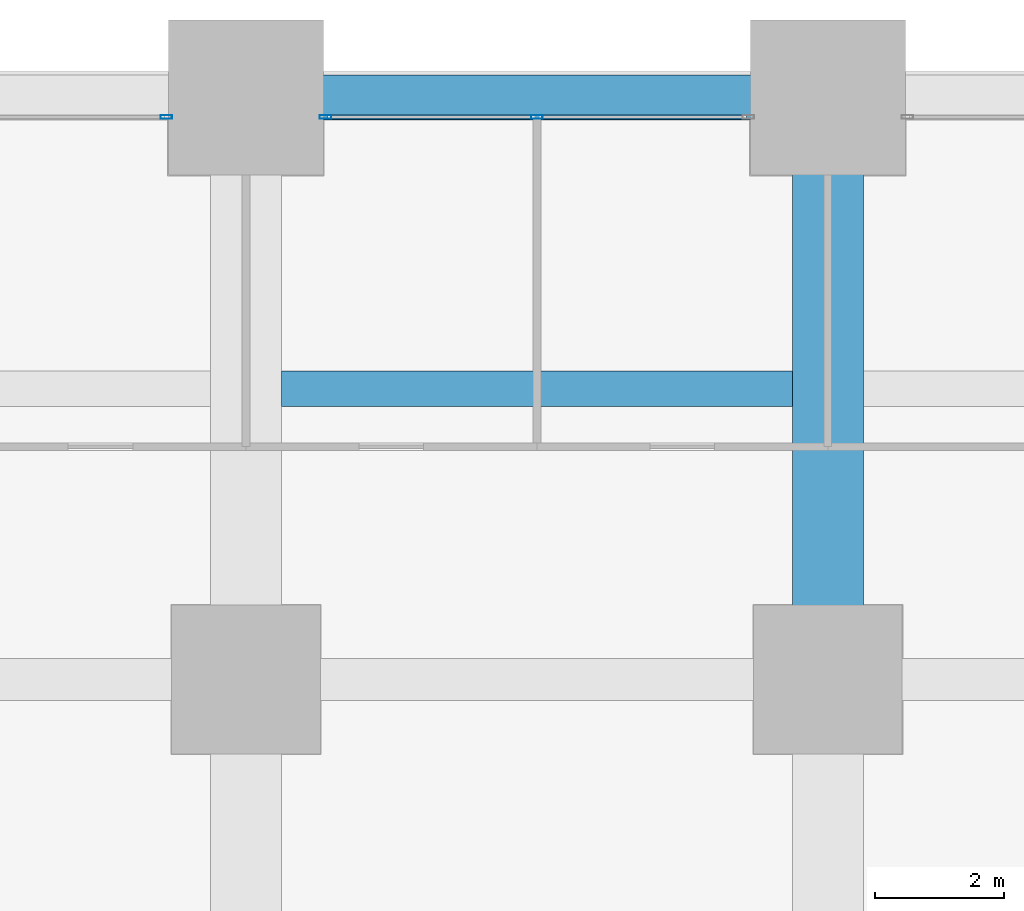
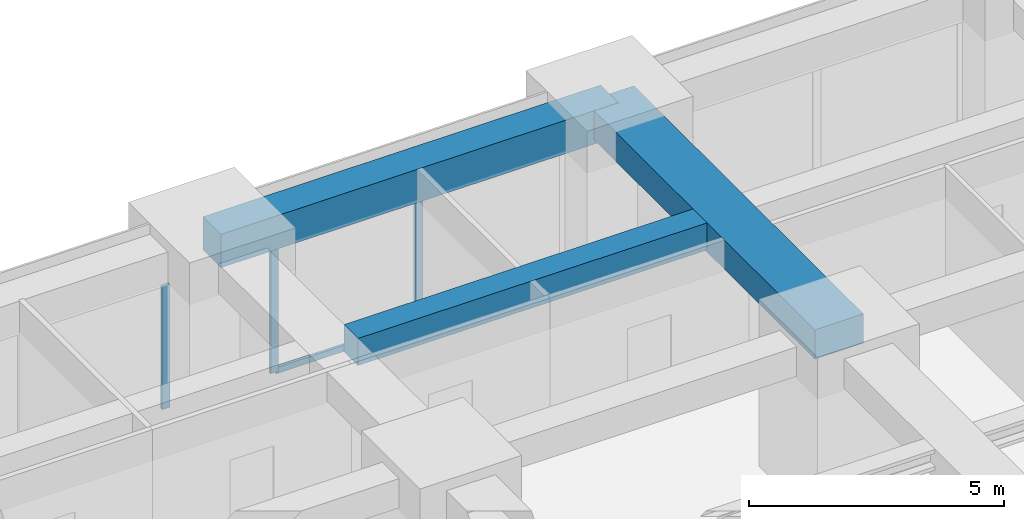
# One storey, part 29 of 44: 4 members, 3 beams, 2 elements without a shape of their own.
"""IFC4 building model written with IfcOpenShell, lengths in metres."""

from ifc_helpers import new_model, si_unit, direction, frame, origin, origin_2d, place, context, subcontext, project, spatial, rectangle, hollow_rectangle, extrude, material, material_profile, profile_set, type_object, element, aggregate, save


model = new_model("IFC4")

# Units and contexts
model_context = context("Model", 3, precision=1e-05, world=origin(), true_north=direction((0.0, 1.0)))
body_context = subcontext(model_context, "Body", "Model", "MODEL_VIEW")
ifc_project = project(units=[si_unit("LENGTHUNIT", "METRE"), si_unit("AREAUNIT", "SQUARE_METRE"), si_unit("VOLUMEUNIT", "CUBIC_METRE"), si_unit("PLANEANGLEUNIT", "RADIAN"), si_unit("MASSUNIT", "GRAM", prefix="KILO")], contexts=[model_context])

# Site, building, storey
site_placement = place(None, origin())
site = spatial("IfcSite", under=ifc_project, at=site_placement, CompositionType="ELEMENT")
building_placement = place(site_placement, origin())
building = spatial("IfcBuilding", under=site, at=building_placement, Name="Zorevar Civic Tower", CompositionType="ELEMENT")
storey_placement = place(building_placement, frame((0.0, 0.0, 43.800048828125)))
storey = spatial("IfcBuildingStorey", under=building, at=storey_placement, Name="L10", CompositionType="ELEMENT", Elevation=43.800048828125)

# Beams
ifc_material_1 = material(Name="Concrete C50/60", Category="concrete")
ifc_material_profile_1 = material_profile(ifc_material_1, rectangle(XDim=1.10009765625, YDim=0.699951171875, at=origin_2d()), Name="RC 1100x700")
ifc_profile_set_1 = profile_set([ifc_material_profile_1], Name="Concrete C50/60")
beam_type_1 = type_object("IfcBeamType", Name="Beam RC 1100x700", PredefinedType="BEAM", material=ifc_profile_set_1)
beam_1_placement = place(storey_placement, frame((27.0, 45.0, 3.39990234375), z_axis=(0.0, 1.0, 0.0), x_axis=(-1.0, 0.0, 0.0)))
element("IfcBeam", 1, at=beam_1_placement, inside=storey, type_object=beam_type_1, Name="Girder L11", PredefinedType="BEAM", context=body_context, shape_type="SweptSolid", body=[
    extrude(rectangle(XDim=1.10009765625, YDim=0.699951171875, at=origin_2d()), origin(), (0.0, 0.0, 1.0), 9.0),
])
ifc_material_2 = material(Name="Concrete C50/60", Category="concrete")
ifc_material_profile_2 = material_profile(ifc_material_2, rectangle(XDim=0.550048828125, YDim=0.64990234375, at=origin_2d()), Name="RC 550x650")
ifc_profile_set_2 = profile_set([ifc_material_profile_2], Name="Concrete C50/60")
beam_type_2 = type_object("IfcBeamType", Name="Beam RC 550x650", PredefinedType="BEAM", material=ifc_profile_set_2)
beam_2_placement = place(storey_placement, frame((18.550048828125, 49.5, 3.425048828125), z_axis=(1.0, 0.0, 0.0), x_axis=(0.0, 1.0, 0.0)))
element("IfcBeam", 2, at=beam_2_placement, inside=storey, type_object=beam_type_2, Name="Secondary beam L11", PredefinedType="BEAM", context=body_context, shape_type="SweptSolid", body=[
    extrude(rectangle(XDim=0.550048828125, YDim=0.64990234375, at=origin_2d()), origin(), (0.0, 0.0, 1.0), 7.89990234375),
])

# Curtain wall, member
ifc_material_3 = material(Name="Dark grey solar-control glass in black aluminium frame", Category="aluminium")
curtain_wall_type = type_object("IfcCurtainWallType", Name="Curtain wall CW2 low zone", PredefinedType="NOTDEFINED", material=ifc_material_3)
curtain_wall_1_placement = place(storey_placement, origin())
curtain_wall_1 = element("IfcCurtainWall", 3, at=curtain_wall_1_placement, inside=storey, type_object=curtain_wall_type, Name="CW2 L10", PredefinedType="NOTDEFINED")
ifc_material_4 = material(Name="Aluminium, black anodised", Category="aluminium")
ifc_material_profile_3 = material_profile(ifc_material_4, hollow_rectangle(XDim=0.06005859375, YDim=0.179931640625, WallThickness=0.00390625, at=origin_2d()), Name="AL 180x60x4")
ifc_profile_set_3 = profile_set([ifc_material_profile_3], Name="Aluminium, black anodised")
member_type_1 = type_object("IfcMemberType", Name="CW2 mullion AL 180x60x4", PredefinedType="MULLION", material=ifc_profile_set_3)
member_1_placement = place(storey_placement, frame((16.77001953125, 53.699951171875, 0.0), z_axis=(0.0, 0.0, 1.0), x_axis=(0.0, 1.0, 0.0)))
member_1 = element("IfcMember", 4, at=member_1_placement, type_object=member_type_1, Name="CW2 mullion 3", PredefinedType="MULLION", context=body_context, shape_type="SweptSolid", body=[
    extrude(hollow_rectangle(XDim=0.06005859375, YDim=0.179931640625, WallThickness=0.00390625, at=origin_2d()), origin(), (0.0, 0.0, 1.0), 2.949951171875),
])
aggregate(curtain_wall_1, [member_1])

# Curtain wall, members
curtain_wall_2_placement = place(storey_placement, origin())
curtain_wall_2 = element("IfcCurtainWall", 5, at=curtain_wall_2_placement, inside=storey, type_object=curtain_wall_type, Name="CW2 L10", PredefinedType="NOTDEFINED")
member_2_placement = place(storey_placement, frame((19.22998046875, 53.699951171875, 0.0), z_axis=(0.0, 0.0, 1.0), x_axis=(0.0, 1.0, 0.0)))
member_2 = element("IfcMember", 6, at=member_2_placement, type_object=member_type_1, Name="CW2 mullion 1", PredefinedType="MULLION", context=body_context, shape_type="SweptSolid", body=[
    extrude(hollow_rectangle(XDim=0.06005859375, YDim=0.179931640625, WallThickness=0.00390625, at=origin_2d()), origin(), (0.0, 0.0, 1.0), 2.949951171875),
])
member_3_placement = place(storey_placement, frame((22.5, 53.699951171875, 0.06005859375), z_axis=(0.0, 0.0, 1.0), x_axis=(0.0, 1.0, 0.0)))
member_3 = element("IfcMember", 7, at=member_3_placement, type_object=member_type_1, Name="CW2 mullion 2", PredefinedType="MULLION", context=body_context, shape_type="SweptSolid", body=[
    extrude(hollow_rectangle(XDim=0.06005859375, YDim=0.179931640625, WallThickness=0.00390625, at=origin_2d()), origin(), (0.0, 0.0, 1.0), 2.889892578125),
])
ifc_material_5 = material(Name="Aluminium, black anodised", Category="aluminium")
ifc_material_profile_4 = material_profile(ifc_material_5, hollow_rectangle(XDim=0.06005859375, YDim=0.14990234375, WallThickness=0.00390625, at=origin_2d()), Name="AL 150x60x4")
ifc_profile_set_4 = profile_set([ifc_material_profile_4], Name="Aluminium, black anodised")
member_type_2 = type_object("IfcMemberType", Name="CW2 transom AL 150x60x4", PredefinedType="USERDEFINED", material=ifc_profile_set_4)
member_4_placement = place(storey_placement, frame((19.260009765625, 53.699951171875, 0.030029296875), z_axis=(1.0, 0.0, 0.0), x_axis=(0.0, 1.0, 0.0)))
member_4 = element("IfcMember", 8, at=member_4_placement, type_object=member_type_2, Name="CW2 sill transom", ObjectType="TRANSOM", PredefinedType="USERDEFINED", context=body_context, shape_type="SweptSolid", body=[
    extrude(hollow_rectangle(XDim=0.06005859375, YDim=0.14990234375, WallThickness=0.00390625, at=origin_2d()), origin(), (0.0, 0.0, 1.0), 6.47998046875),
])
aggregate(curtain_wall_2, [member_2, member_3, member_4])

# Beam
ifc_material_6 = material(Name="Concrete C50/60", Category="concrete")
ifc_material_profile_5 = material_profile(ifc_material_6, rectangle(XDim=0.699951171875, YDim=0.800048828125, at=origin_2d()), Name="RC 700x800")
ifc_profile_set_5 = profile_set([ifc_material_profile_5], Name="Concrete C50/60")
beam_type_3 = type_object("IfcBeamType", Name="Edge beam RC 700x800", PredefinedType="SPANDREL", material=ifc_profile_set_5)
beam_3_placement = place(storey_placement, frame((18.0, 54.0, 3.349853515625), z_axis=(1.0, 0.0, 0.0), x_axis=(0.0, 1.0, 0.0)))
element("IfcBeam", 9, at=beam_3_placement, inside=storey, type_object=beam_type_3, Name="Edge beam L11", PredefinedType="SPANDREL", context=body_context, shape_type="SweptSolid", body=[
    extrude(rectangle(XDim=0.699951171875, YDim=0.800048828125, at=origin_2d()), origin(), (0.0, 0.0, 1.0), 9.0),
])

save(model, "model.ifc")
